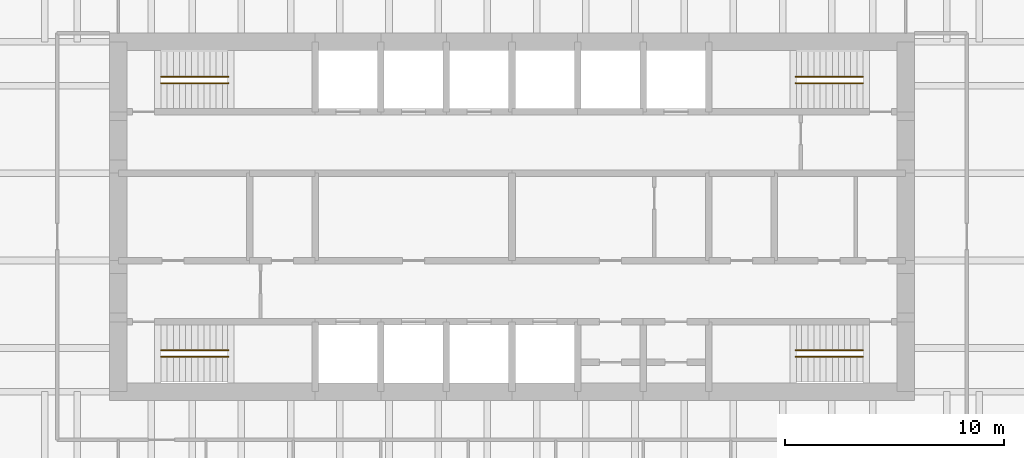
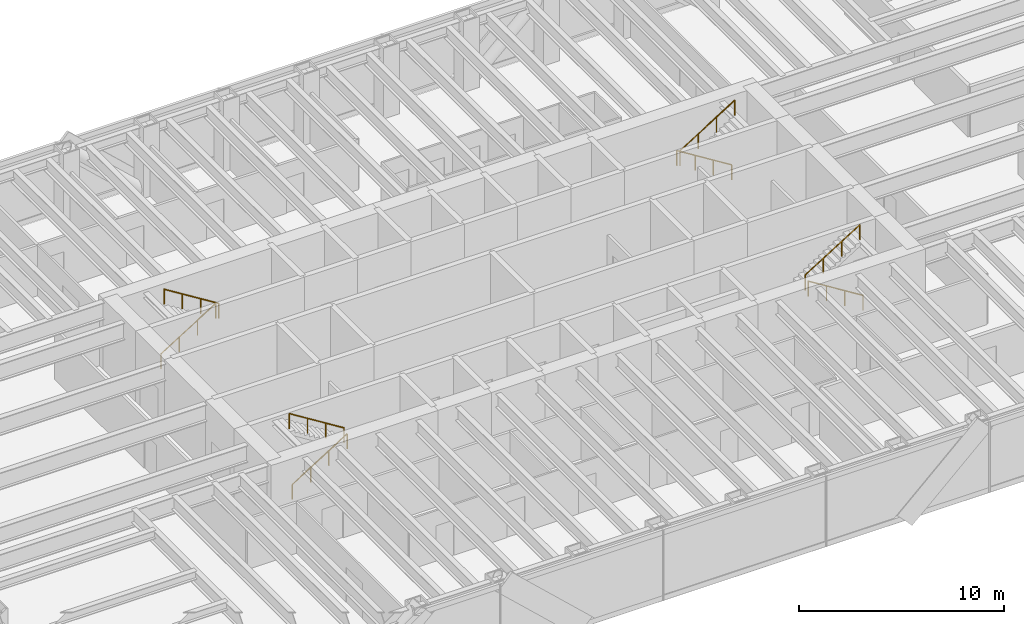
# One storey, part 14 of 14: 8 railings.
"""IFC4 building model written with IfcOpenShell, lengths in metres."""

from ifc_helpers import new_model, si_unit, direction, frame, origin, origin_2d, place, context, subcontext, project, spatial, circle, extrude, material, type_object, element, save


model = new_model("IFC4")

# Units and contexts
model_context = context("Model", 3, precision=1e-05, world=origin(), true_north=direction((0.0, 1.0)))
body_context = subcontext(model_context, "Body", "Model", "MODEL_VIEW")
ifc_project = project(units=[si_unit("LENGTHUNIT", "METRE"), si_unit("AREAUNIT", "SQUARE_METRE"), si_unit("VOLUMEUNIT", "CUBIC_METRE"), si_unit("PLANEANGLEUNIT", "RADIAN"), si_unit("MASSUNIT", "GRAM", prefix="KILO")], contexts=[model_context])

# Site, building, storey
site_placement = place(None, origin())
site = spatial("IfcSite", under=ifc_project, at=site_placement, CompositionType="ELEMENT")
building_placement = place(site_placement, origin())
building = spatial("IfcBuilding", under=site, at=building_placement, Name="Rheinbord Bourse Tower", CompositionType="ELEMENT")
storey_placement = place(building_placement, frame((0.0, 0.0, 253.0)))
storey = spatial("IfcBuildingStorey", under=building, at=storey_placement, Name="L57", CompositionType="ELEMENT", Elevation=253.0)

# Railings
ifc_material = material(Name="Steel handrail", Category="steel")
railing_type = type_object("IfcRailingType", Name="HANDRAIL 900", PredefinedType="HANDRAIL", material=ifc_material)
railing_1_placement = place(storey_placement, frame((19.949951171875, 17.60009765625, 0.175048828125)))
element("IfcRailing", 1, at=railing_1_placement, inside=storey, type_object=railing_type, Name="Handrail", PredefinedType="HANDRAIL", context=body_context, shape_type="SweptSolid", body=[
    extrude(circle(Radius=0.02392578125, at=origin_2d()), frame((0.0, 0.0, 0.8759765625), z_axis=(0.847998304005, 0.0, 0.529998940003), x_axis=(0.0, 1.0, 0.0)), (0.0, 0.0, 1.0), 3.632080078125),
    extrude(circle(Radius=0.02099609375, at=origin_2d()), origin(), (0.0, 0.0, 1.0), 0.851806640625),
    extrude(circle(Radius=0.02099609375, at=origin_2d()), frame((1.026611328125, 0.0, 0.6416015625)), (0.0, 0.0, 1.0), 0.851806640625),
    extrude(circle(Radius=0.02099609375, at=origin_2d()), frame((2.053466796875, 0.0, 1.283447265625)), (0.0, 0.0, 1.0), 0.851806640625),
    extrude(circle(Radius=0.02099609375, at=origin_2d()), frame((3.080078125, 0.0, 1.925048828125)), (0.0, 0.0, 1.0), 0.851806640625),
])
railing_2_placement = place(storey_placement, frame((23.030029296875, 17.89990234375, 2.27490234375)))
element("IfcRailing", 2, at=railing_2_placement, inside=storey, type_object=railing_type, Name="Handrail", PredefinedType="HANDRAIL", context=body_context, shape_type="SweptSolid", body=[
    extrude(circle(Radius=0.02392578125, at=origin_2d()), frame((0.0, 0.0, 0.8759765625), z_axis=(-0.847998304005, 0.0, 0.529998940003), x_axis=(0.0, -1.0, 0.0)), (0.0, 0.0, 1.0), 3.632080078125),
    extrude(circle(Radius=0.02099609375, at=origin_2d()), origin(), (0.0, 0.0, 1.0), 0.851806640625),
    extrude(circle(Radius=0.02099609375, at=origin_2d()), frame((-1.026611328125, 0.0, 0.6416015625)), (0.0, 0.0, 1.0), 0.851806640625),
    extrude(circle(Radius=0.02099609375, at=origin_2d()), frame((-2.053466796875, 0.0, 1.283447265625)), (0.0, 0.0, 1.0), 0.851806640625),
    extrude(circle(Radius=0.02099609375, at=origin_2d()), frame((-3.080078125, 0.0, 1.925048828125)), (0.0, 0.0, 1.0), 0.851806640625),
])
railing_3_placement = place(storey_placement, frame((19.949951171875, 30.39990234375, 0.175048828125)))
element("IfcRailing", 3, at=railing_3_placement, inside=storey, type_object=railing_type, Name="Handrail", PredefinedType="HANDRAIL", context=body_context, shape_type="SweptSolid", body=[
    extrude(circle(Radius=0.02392578125, at=origin_2d()), frame((0.0, 0.0, 0.8759765625), z_axis=(0.847998304005, 0.0, 0.529998940003), x_axis=(0.0, 1.0, 0.0)), (0.0, 0.0, 1.0), 3.632080078125),
    extrude(circle(Radius=0.02099609375, at=origin_2d()), origin(), (0.0, 0.0, 1.0), 0.851806640625),
    extrude(circle(Radius=0.02099609375, at=origin_2d()), frame((1.026611328125, 0.0, 0.6416015625)), (0.0, 0.0, 1.0), 0.851806640625),
    extrude(circle(Radius=0.02099609375, at=origin_2d()), frame((2.053466796875, 0.0, 1.283447265625)), (0.0, 0.0, 1.0), 0.851806640625),
    extrude(circle(Radius=0.02099609375, at=origin_2d()), frame((3.080078125, 0.0, 1.925048828125)), (0.0, 0.0, 1.0), 0.851806640625),
])
for number, where, name in (
    (4, (23.030029296875, 30.10009765625, 2.27490234375), "Handrail"),
    (5, (52.050048828125, 17.60009765625, 0.175048828125), "Handrail"),
):
    element("IfcRailing", number, at=place(storey_placement, frame(where)), inside=storey, type_object=railing_type, Name=name, PredefinedType="HANDRAIL", context=body_context, shape_type="SweptSolid", body=[
        extrude(circle(Radius=0.02392578125, at=origin_2d()), frame((0.0, 0.0, 0.8759765625), z_axis=(-0.847998304005, 0.0, 0.529998940003), x_axis=(0.0, -1.0, 0.0)), (0.0, 0.0, 1.0), 3.632080078125),
        extrude(circle(Radius=0.02099609375, at=origin_2d()), origin(), (0.0, 0.0, 1.0), 0.851806640625),
        extrude(circle(Radius=0.02099609375, at=origin_2d()), frame((-1.026611328125, 0.0, 0.6416015625)), (0.0, 0.0, 1.0), 0.851806640625),
        extrude(circle(Radius=0.02099609375, at=origin_2d()), frame((-2.053466796875, 0.0, 1.283447265625)), (0.0, 0.0, 1.0), 0.851806640625),
        extrude(circle(Radius=0.02099609375, at=origin_2d()), frame((-3.080078125, 0.0, 1.925048828125)), (0.0, 0.0, 1.0), 0.851806640625),
    ])
railing_4_placement = place(storey_placement, frame((48.969970703125, 17.89990234375, 2.27490234375)))
element("IfcRailing", 6, at=railing_4_placement, inside=storey, type_object=railing_type, Name="Handrail", PredefinedType="HANDRAIL", context=body_context, shape_type="SweptSolid", body=[
    extrude(circle(Radius=0.02392578125, at=origin_2d()), frame((0.0, 0.0, 0.8759765625), z_axis=(0.847998304005, 0.0, 0.529998940003), x_axis=(0.0, 1.0, 0.0)), (0.0, 0.0, 1.0), 3.632080078125),
    extrude(circle(Radius=0.02099609375, at=origin_2d()), origin(), (0.0, 0.0, 1.0), 0.851806640625),
    extrude(circle(Radius=0.02099609375, at=origin_2d()), frame((1.026611328125, 0.0, 0.6416015625)), (0.0, 0.0, 1.0), 0.851806640625),
    extrude(circle(Radius=0.02099609375, at=origin_2d()), frame((2.053466796875, 0.0, 1.283447265625)), (0.0, 0.0, 1.0), 0.851806640625),
    extrude(circle(Radius=0.02099609375, at=origin_2d()), frame((3.080078125, 0.0, 1.925048828125)), (0.0, 0.0, 1.0), 0.851806640625),
])
railing_5_placement = place(storey_placement, frame((52.050048828125, 30.39990234375, 0.175048828125)))
element("IfcRailing", 7, at=railing_5_placement, inside=storey, type_object=railing_type, Name="Handrail", PredefinedType="HANDRAIL", context=body_context, shape_type="SweptSolid", body=[
    extrude(circle(Radius=0.02392578125, at=origin_2d()), frame((0.0, 0.0, 0.8759765625), z_axis=(-0.847998304005, 0.0, 0.529998940003), x_axis=(0.0, -1.0, 0.0)), (0.0, 0.0, 1.0), 3.632080078125),
    extrude(circle(Radius=0.02099609375, at=origin_2d()), origin(), (0.0, 0.0, 1.0), 0.851806640625),
    extrude(circle(Radius=0.02099609375, at=origin_2d()), frame((-1.026611328125, 0.0, 0.6416015625)), (0.0, 0.0, 1.0), 0.851806640625),
    extrude(circle(Radius=0.02099609375, at=origin_2d()), frame((-2.053466796875, 0.0, 1.283447265625)), (0.0, 0.0, 1.0), 0.851806640625),
    extrude(circle(Radius=0.02099609375, at=origin_2d()), frame((-3.080078125, 0.0, 1.925048828125)), (0.0, 0.0, 1.0), 0.851806640625),
])
railing_6_placement = place(storey_placement, frame((48.969970703125, 30.10009765625, 2.27490234375)))
element("IfcRailing", 8, at=railing_6_placement, inside=storey, type_object=railing_type, Name="Handrail", PredefinedType="HANDRAIL", context=body_context, shape_type="SweptSolid", body=[
    extrude(circle(Radius=0.02392578125, at=origin_2d()), frame((0.0, 0.0, 0.8759765625), z_axis=(0.847998304005, 0.0, 0.529998940003), x_axis=(0.0, 1.0, 0.0)), (0.0, 0.0, 1.0), 3.632080078125),
    extrude(circle(Radius=0.02099609375, at=origin_2d()), origin(), (0.0, 0.0, 1.0), 0.851806640625),
    extrude(circle(Radius=0.02099609375, at=origin_2d()), frame((1.026611328125, 0.0, 0.6416015625)), (0.0, 0.0, 1.0), 0.851806640625),
    extrude(circle(Radius=0.02099609375, at=origin_2d()), frame((2.053466796875, 0.0, 1.283447265625)), (0.0, 0.0, 1.0), 0.851806640625),
    extrude(circle(Radius=0.02099609375, at=origin_2d()), frame((3.080078125, 0.0, 1.925048828125)), (0.0, 0.0, 1.0), 0.851806640625),
])

save(model, "model.ifc")
